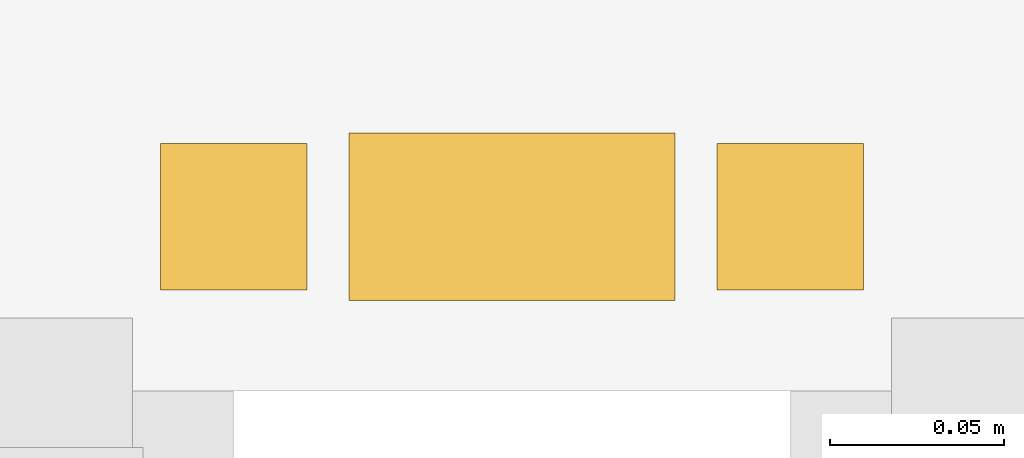
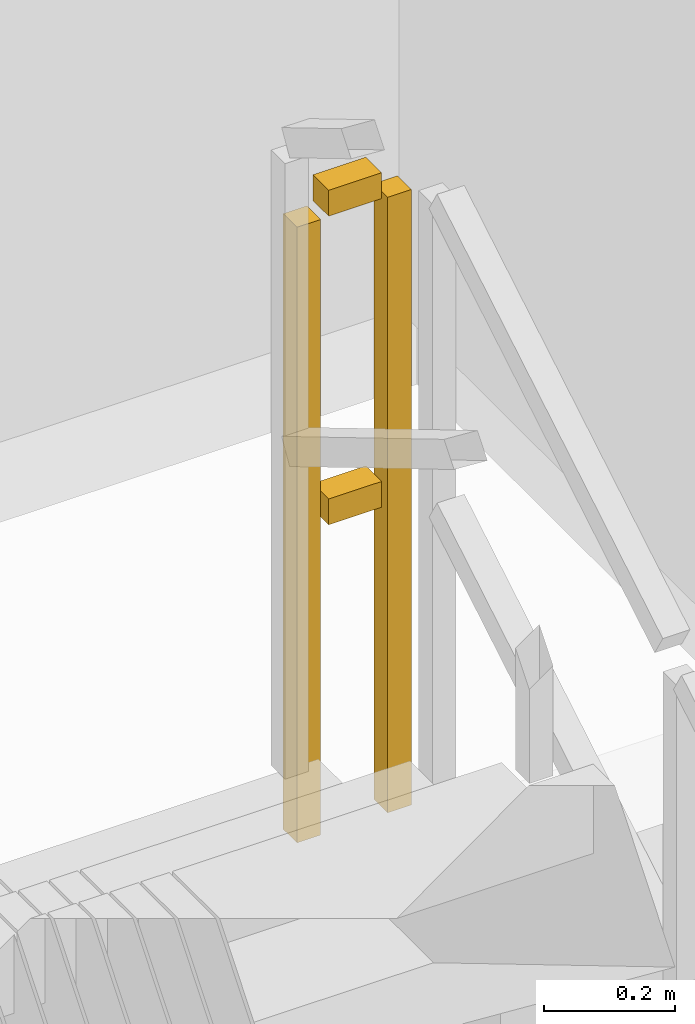
# One storey, part 13 of 13: 1 railing.
"""IFC4 building model written with IfcOpenShell, lengths in metres."""

import ifcopenshell
import ifcopenshell.guid

model = None  # the IFC model being written
_history = None  # IfcOwnerHistory: only IFC2X3 demands one
_inside = {}  # id of a spatial element -> (the spatial element, [elements in it])
_under = {}  # id of a project, library or spatial element -> (it, [spatial elements below it])
_declared = {}  # id of a project -> (the project, [libraries it declares])
_typed = {}  # id of a type object -> (the type object, [elements of that type])
_made_of = {}  # id of a material, layer set ... -> (it, [elements and type objects made of it])


def new_model(schema):
    """Start an empty IFC model of exactly this schema.

    Asked for "IFC4X3", IfcOpenShell would pick the latest addendum, in which some entities
    have other attributes; the version numbers below select the first issue.
    IFC2X3 requires an IfcOwnerHistory on every rooted entity: one is made here for all.
    """
    global model, _history
    if schema == "IFC4X3":
        model = ifcopenshell.file(schema_version=(4, 3, 0, 0))
    else:
        model = ifcopenshell.file(schema=schema)
    _inside.clear()
    _under.clear()
    _declared.clear()
    _typed.clear()
    _made_of.clear()
    _history = None
    if model.schema == "IFC2X3":
        org = make("IfcOrganization", Name="unknown")
        user = make(
            "IfcPersonAndOrganization",
            ThePerson=make("IfcPerson", FamilyName="unknown"),
            TheOrganization=org,
        )
        app = make(
            "IfcApplication",
            ApplicationDeveloper=org,
            Version="unknown",
            ApplicationFullName="unknown",
            ApplicationIdentifier="unknown",
        )
        _history = make(
            "IfcOwnerHistory",
            OwningUser=user,
            OwningApplication=app,
            ChangeAction="ADDED",
            CreationDate=0,
        )
    return model


def make(cls, **values):
    """One entity of the class cls with the attributes given. An attribute that is None is left unset."""
    return model.create_entity(
        cls, **{name: value for name, value in values.items() if value is not None}
    )


def rooted(cls, **values):
    """An entity with a GlobalId (a new one), such as an element, a storey or a relation."""
    return make(cls, GlobalId=ifcopenshell.guid.new(), OwnerHistory=_history, **values)


def si_unit(unit_type, name, prefix=None):
    """IfcSIUnit, for example si_unit("LENGTHUNIT", "METRE", prefix="MILLI")."""
    return make("IfcSIUnit", UnitType=unit_type, Prefix=prefix, Name=name)


def assignment(units):
    """IfcUnitAssignment: the units of a project."""
    return None if units is None else make("IfcUnitAssignment", Units=units)


def point(xyz):
    """IfcCartesianPoint."""
    return None if xyz is None else make("IfcCartesianPoint", Coordinates=xyz)


def direction(xyz):
    """IfcDirection."""
    return None if xyz is None else make("IfcDirection", DirectionRatios=xyz)


def frame(location, z_axis=None, x_axis=None):
    """IfcAxis2Placement3D, a coordinate frame: its origin and axes. An axis left out is left unset."""
    return make(
        "IfcAxis2Placement3D",
        Location=point(location),
        Axis=direction(z_axis),
        RefDirection=direction(x_axis),
    )


def frame_2d(location, x_axis=None):
    """IfcAxis2Placement2D, a coordinate frame in the plane: its origin and x axis."""
    return make(
        "IfcAxis2Placement2D", Location=point(location), RefDirection=direction(x_axis)
    )


def origin():
    """The frame at (0, 0, 0) with its axes left unset."""
    return frame((0.0, 0.0, 0.0))


def origin_2d():
    """The frame at (0, 0) in the plane with its x axis left unset."""
    return frame_2d((0.0, 0.0))


def place(relative_to, where):
    """IfcLocalPlacement: puts the frame where relative to a parent placement (None: the world)."""
    return make(
        "IfcLocalPlacement", PlacementRelTo=relative_to, RelativePlacement=where
    )


def context(
    kind, dimensions, precision=None, world=None, true_north=None, identifier=None
):
    """IfcGeometricRepresentationContext, for example the 3D "Model" context."""
    return make(
        "IfcGeometricRepresentationContext",
        ContextIdentifier=identifier,
        ContextType=kind,
        CoordinateSpaceDimension=dimensions,
        Precision=precision,
        WorldCoordinateSystem=world,
        TrueNorth=true_north,
    )


def subcontext(parent, identifier, kind, view, scale=None):
    """IfcGeometricRepresentationSubContext, for example "Body" below "Model"."""
    return make(
        "IfcGeometricRepresentationSubContext",
        ContextIdentifier=identifier,
        ContextType=kind,
        ParentContext=parent,
        TargetScale=scale,
        TargetView=view,
    )


def project(units=None, contexts=None):
    """IfcProject with its units and contexts."""
    return rooted(
        "IfcProject",
        Name="project",
        RepresentationContexts=contexts,
        UnitsInContext=assignment(units),
    )


def spatial(cls, under=None, at=None, **own):
    """A site, building, storey or space (cls), placed at a placement, below another one or the project."""
    s = rooted(cls, ObjectPlacement=at, **own)
    if under is not None:
        _under.setdefault(under.id(), (under, []))[1].append(s)
    return s


def profile(cls, at=None, kind="AREA", **sizes):
    """A parametric profile (cls). Its sizes go by their IFC names, for example OverallWidth=200.0."""
    return make(cls, ProfileType=kind, Position=at, **sizes)


def rectangle(**sizes):
    """IfcRectangleProfileDef."""
    return profile("IfcRectangleProfileDef", **sizes)


def extrude(swept, where, along, depth):
    """IfcExtrudedAreaSolid: the profile swept, set in the frame where, extruded along a direction by depth."""
    return make(
        "IfcExtrudedAreaSolid",
        SweptArea=swept,
        Position=where,
        ExtrudedDirection=direction(along),
        Depth=depth,
    )


def shape(context_of_items, identifier, shape_type, items):
    """IfcShapeRepresentation: the items that make up one representation, for example the "Body"."""
    return make(
        "IfcShapeRepresentation",
        ContextOfItems=context_of_items,
        RepresentationIdentifier=identifier,
        RepresentationType=shape_type,
        Items=items,
    )


def material(Name=None, Category=None):
    """IfcMaterial."""
    return make("IfcMaterial", Name=Name, Category=Category)


def made_of(thing, what):
    """Note that an element or type object is made of a material, layer set ...; save() writes the relation."""
    if what is not None:
        _made_of.setdefault(what.id(), (what, []))[1].append(thing)
    return thing


def type_object(cls, material=None, **own):
    """A type object (cls), such as IfcWallType, which elements share."""
    return made_of(rooted(cls, **own), material)


def element(
    cls,
    number,
    at=None,
    inside=None,
    cuts=None,
    type_object=None,
    material=None,
    context=None,
    identifier="Body",
    shape_type=None,
    held_by="IfcProductDefinitionShape",
    body=None,
    shapes=None,
    **own,
):
    """One element of the class cls, such as IfcWall. Its Tag is "e" and its number.

    at: its placement. inside: the storey or other place that contains it. cuts: it is an
    opening in that element (IfcRelVoidsElement). A single representation is given by context,
    identifier, shape_type and body (its items); several are given by shapes. held_by: the class
    of the entity that holds the representations. save() writes the other relations.
    """
    e = rooted(cls, Tag="e%d" % number, ObjectPlacement=at, **own)
    if body is not None:
        shapes = [shape(context, identifier, shape_type, body)]
    if shapes is not None:
        e.Representation = make(held_by, Representations=shapes)
    if inside is not None:
        _inside.setdefault(inside.id(), (inside, []))[1].append(e)
    if cuts is not None:
        rooted(
            "IfcRelVoidsElement", RelatingBuildingElement=cuts, RelatedOpeningElement=e
        )
    if type_object is not None:
        _typed.setdefault(type_object.id(), (type_object, []))[1].append(e)
    return made_of(e, material)


def aggregate(whole, parts):
    """IfcRelAggregates: a whole, such as a stair, and the parts it consists of."""
    return rooted("IfcRelAggregates", RelatingObject=whole, RelatedObjects=parts)


def save(model, path):
    """Write the relations noted so far, then the file.

    IfcRelAggregates (storeys below a building ...), IfcRelContainedInSpatialStructure (elements
    in a storey), IfcRelDefinesByType, IfcRelAssociatesMaterial and IfcRelDeclares: one each for
    every whole, place, type object, material and project.
    """
    for whole, parts in _under.values():
        aggregate(whole, parts)
    for where, things in _inside.values():
        rooted(
            "IfcRelContainedInSpatialStructure",
            RelatedElements=things,
            RelatingStructure=where,
        )
    for kind, things in _typed.values():
        rooted("IfcRelDefinesByType", RelatedObjects=things, RelatingType=kind)
    for what, things in _made_of.values():
        rooted("IfcRelAssociatesMaterial", RelatedObjects=things, RelatingMaterial=what)
    for by, libraries in _declared.values():
        rooted("IfcRelDeclares", RelatingContext=by, RelatedDefinitions=libraries)
    model.write(path)


model = new_model("IFC4")

# Units and contexts
model_context = context("Model", 3, precision=1e-05, world=origin(), true_north=direction((0.0, 1.0)))
body_context = subcontext(model_context, "Body", "Model", "MODEL_VIEW")
ifc_project = project(units=[si_unit("LENGTHUNIT", "METRE"), si_unit("AREAUNIT", "SQUARE_METRE"), si_unit("VOLUMEUNIT", "CUBIC_METRE"), si_unit("PLANEANGLEUNIT", "RADIAN"), si_unit("MASSUNIT", "GRAM", prefix="KILO")], contexts=[model_context])

# Site, building, storey
site_placement = place(None, origin())
site = spatial("IfcSite", under=ifc_project, at=site_placement, CompositionType="ELEMENT")
building_placement = place(site_placement, origin())
building = spatial("IfcBuilding", under=site, at=building_placement, Name="Saelheon Loggia Tower", CompositionType="ELEMENT")
storey_placement = place(building_placement, frame((0.0, 0.0, 92.85009765625)))
storey = spatial("IfcBuildingStorey", under=building, at=storey_placement, Name="L29", CompositionType="ELEMENT", Elevation=92.85009765625)

# Railing
ifc_material = material(Name="Galvanised Steel S275 Stairwell Guardrail", Category="steel")
railing_type = type_object("IfcRailingType", Name="Guard_StairWell_RL_STG", PredefinedType="GUARDRAIL", material=ifc_material)
railing_placement = place(storey_placement, frame((42.489990234375, 32.739990234375, 1.5)))
element("IfcRailing", 1, at=railing_placement, inside=storey, type_object=railing_type, Name="L29 ST2 stair guard 2", PredefinedType="GUARDRAIL", context=body_context, shape_type="SweptSolid", body=[
    extrude(rectangle(XDim=0.048095703125, YDim=0.048095703125, at=origin_2d()), frame((-0.033203125, 0.0, 1.17578125), z_axis=(-1.0, 0.0, 0.0), x_axis=(0.0, -1.0, 0.0)), (0.0, 0.0, 1.0), 0.093505859375),
    extrude(rectangle(XDim=0.048095703125, YDim=0.048095703125, at=origin_2d()), frame((-0.033203125, 0.0, 0.60009765625), z_axis=(-1.0, 0.0, 0.0), x_axis=(0.0, -1.0, 0.0)), (0.0, 0.0, 1.0), 0.093505859375),
    extrude(rectangle(XDim=0.0419921875, YDim=0.0419921875, at=origin_2d()), origin(), (0.0, 0.0, 1.0), 1.14794921875),
    extrude(rectangle(XDim=0.0419921875, YDim=0.0419921875, at=origin_2d()), frame((-0.159912109375, 0.0, 0.0)), (0.0, 0.0, 1.0), 1.14794921875),
])

save(model, "model.ifc")
